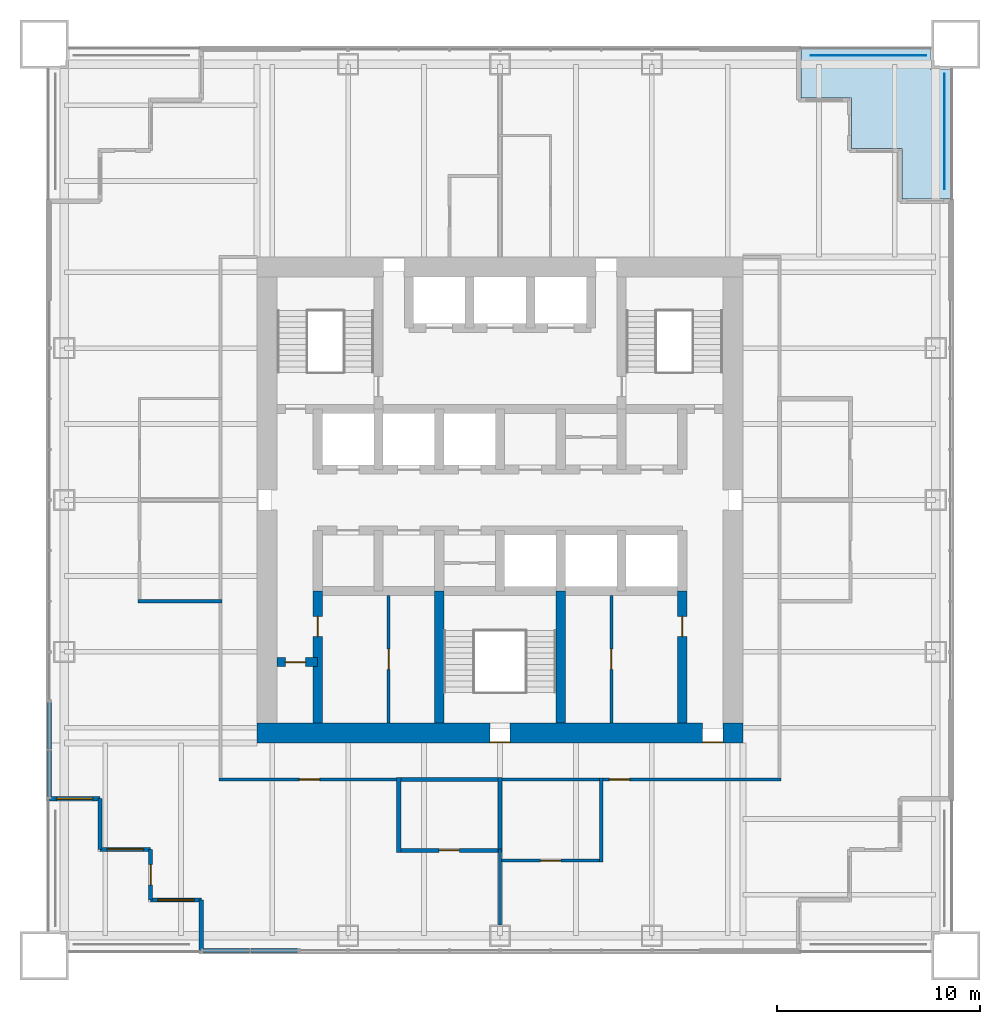
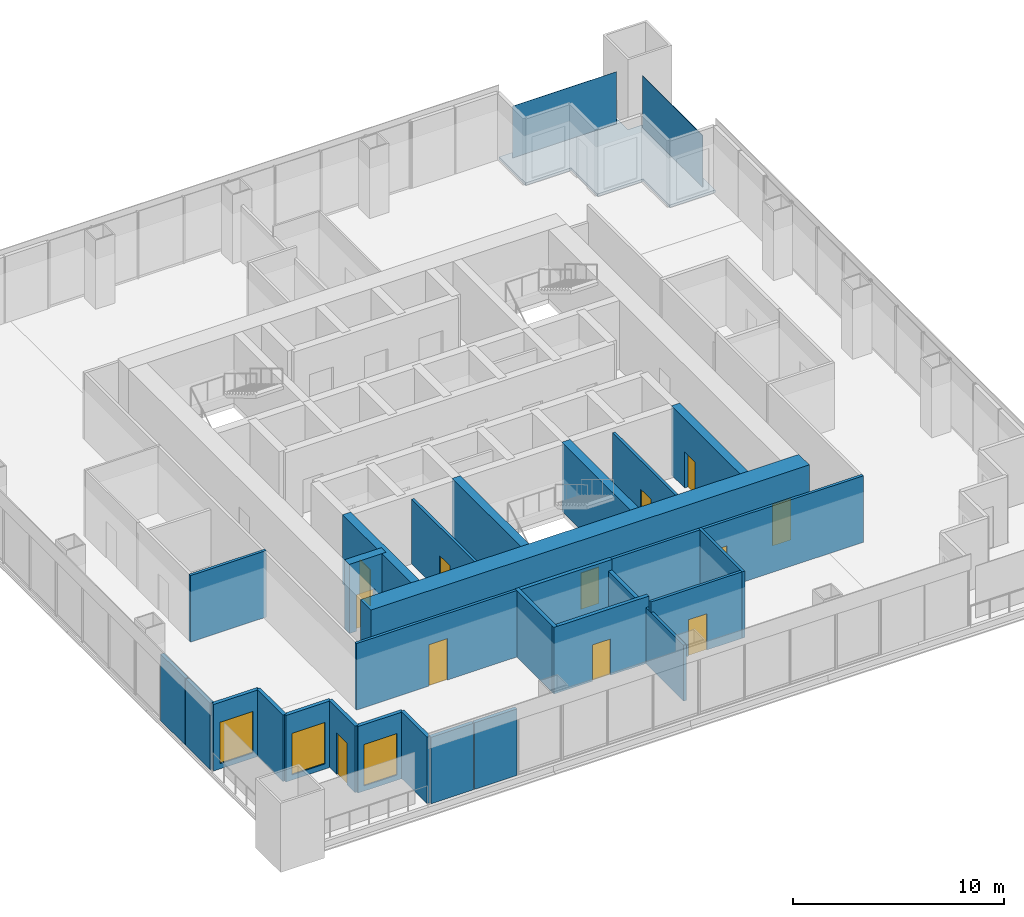
# One storey, part 8 of 13: 28 walls, 12 doors, 3 windows, 2 plates, 1 slab, 15 openings.
"""IFC4 building model written with IfcOpenShell, lengths in metres."""

from ifc_helpers import new_model, si_unit, direction, frame, frame_2d, origin, origin_2d, place, context, subcontext, project, spatial, polyline, rectangle, outline, extrude, material, layer, layer_set, type_object, element, fill, save


model = new_model("IFC4")

# Units and contexts
model_context = context("Model", 3, precision=1e-05, world=origin(), true_north=direction((0.0, 1.0)))
body_context = subcontext(model_context, "Body", "Model", "MODEL_VIEW")
ifc_project = project(units=[si_unit("LENGTHUNIT", "METRE"), si_unit("AREAUNIT", "SQUARE_METRE"), si_unit("VOLUMEUNIT", "CUBIC_METRE"), si_unit("PLANEANGLEUNIT", "RADIAN"), si_unit("MASSUNIT", "GRAM", prefix="KILO")], contexts=[model_context])

# Site, building, storey
site_placement = place(None, origin())
site = spatial("IfcSite", under=ifc_project, at=site_placement, CompositionType="ELEMENT")
building_placement = place(site_placement, origin())
building = spatial("IfcBuilding", under=site, at=building_placement, Name="Tarangal Relay Tower", CompositionType="ELEMENT")
storey_placement = place(building_placement, frame((0.0, 0.0, 221.89990234375)))
storey = spatial("IfcBuildingStorey", under=building, at=storey_placement, Name="L47", CompositionType="ELEMENT", Elevation=221.89990234375)

# Plates
ifc_material_1 = material(Name="Black stainless steel cable trellis with climbing planting", Category="steel")
ifc_layer_1 = layer(ifc_material_1, 0.030029296875)
ifc_layer_set_1 = layer_set([ifc_layer_1], Name="Planted trellis screen")
plate_type_1 = type_object("IfcPlateType", Name="Planted trellis screen", PredefinedType="SHEET", material=ifc_layer_set_1)
plate_1_placement = place(storey_placement, frame((21.949951171875, 18.199951171875, 0.0), z_axis=(0.0, 0.0, 1.0), x_axis=(0.0, -1.0, 0.0)))
element("IfcPlate", 1, at=plate_1_placement, inside=storey, type_object=plate_type_1, Name="Planted trellis SC2 NE L47", PredefinedType="SHEET", context=body_context, shape_type="SweptSolid", body=[
    extrude(rectangle(XDim=5.699951171875, YDim=0.030029296875, at=origin_2d()), origin(), (0.0, 0.0, 1.0), 3.0),
])
ifc_material_2 = material(Name="Perforated black aluminium screen", Category="aluminium")
ifc_layer_2 = layer(ifc_material_2, 0.02001953125)
ifc_layer_set_2 = layer_set([ifc_layer_2], Name="Terrace screen panel")
plate_type_2 = type_object("IfcPlateType", Name="Terrace screen panel", PredefinedType="SHEET", material=ifc_layer_set_2)
plate_2_placement = place(storey_placement, frame((18.199951171875, 21.949951171875, 0.0), z_axis=(0.0, 0.0, 1.0), x_axis=(1.0, 0.0, 0.0)))
element("IfcPlate", 2, at=plate_2_placement, inside=storey, type_object=plate_type_2, Name="Terrace screen SC1 NE L47", PredefinedType="SHEET", context=body_context, shape_type="SweptSolid", body=[
    extrude(rectangle(XDim=5.699951171875, YDim=0.02001953125, at=origin_2d()), origin(), (0.0, 0.0, 1.0), 3.0),
])

# Slab
ifc_material_3 = material(Name="Concrete fc' 35 MPa", Category="concrete")
ifc_layer_3 = layer(ifc_material_3, 0.14990234375)
ifc_layer_set_3 = layer_set([ifc_layer_3], Name="Terrace slab 150")
slab_type = type_object("IfcSlabType", Name="Terrace slab 150", PredefinedType="FLOOR", material=ifc_layer_set_3)
slab_placement = place(storey_placement, frame((0.0, 0.0, -0.14990234375)))
element("IfcSlab", 3, at=slab_placement, inside=storey, type_object=slab_type, Name="Corner terrace NE L47", PredefinedType="FLOOR", context=body_context, shape_type="SweptSolid", body=[
    extrude(outline(polyline([(14.85009765625, 22.35009765625), (14.85009765625, 19.85009765625), (17.35009765625, 19.85009765625), (17.35009765625, 17.35009765625), (19.85009765625, 17.35009765625), (19.85009765625, 14.85009765625), (22.35009765625, 14.85009765625), (22.35009765625, 21.25), (21.25, 21.25), (21.25, 22.35009765625), (14.85009765625, 22.35009765625)])), origin(), (0.0, 0.0, 1.0), 0.14990234375),
])

# Wall, opening, door
ifc_material_4 = material(Name="Two layers gypsum board each side on twin steel studs, mineral wool", Category="steel")
ifc_layer_4 = layer(ifc_material_4, 0.199951171875)
ifc_layer_set_4 = layer_set([ifc_layer_4], Name="Acoustic partition 200")
wall_type_1 = type_object("IfcWallType", Name="Acoustic partition 200", PredefinedType="PARTITIONING", material=ifc_layer_set_4)
wall_1_placement = place(storey_placement, frame((-5.10009765625, -17.300048828125, 0.0), z_axis=(0.0, 0.0, 1.0), x_axis=(1.0, 0.0, 0.0)))
wall_1 = element("IfcWall", 4, at=wall_1_placement, inside=storey, type_object=wall_type_1, Name="Partition PT2 L47", PredefinedType="PARTITIONING", context=body_context, shape_type="SweptSolid", body=[
    extrude(rectangle(XDim=5.2001953125, YDim=0.199951171875, at=frame_2d((2.60009765625, 0.0))), origin(), (0.0, 0.0, 1.0), 3.85009765625),
])
opening_1_placement = place(wall_1_placement, frame((2.10009765625, 0.0, 0.0)))
opening_1 = element("IfcOpeningElement", 5, at=opening_1_placement, cuts=wall_1, Name="Opening D2", PredefinedType="OPENING", context=body_context, shape_type="SweptSolid", body=[
    extrude(rectangle(XDim=1.0, YDim=2.10009765625, at=frame_2d((0.5, 1.050048828125))), frame((0.0, 0.10986328125, 0.0), z_axis=(0.0, -1.0, 0.0), x_axis=(1.0, 0.0, 0.0)), (0.0, 0.0, 1.0), 0.219970703125),
])
ifc_material_5 = material(Name="Hardwood door", Category="wood")
door_type_1 = type_object("IfcDoorType", Name="Door 1000 x 2100", OperationType="SINGLE_SWING_LEFT", PredefinedType="DOOR", material=ifc_material_5)
door_1_placement = place(opening_1_placement, origin())
door_1 = element("IfcDoor", 6, at=door_1_placement, inside=storey, type_object=door_type_1, Name="Door D2 to quiet room L47-07", OperationType="SINGLE_SWING_LEFT", OverallHeight=2.10009765625, OverallWidth=1.0, PredefinedType="DOOR", context=body_context, shape_type="SweptSolid", body=[
    extrude(rectangle(XDim=1.0, YDim=2.10009765625, at=frame_2d((0.5, 1.050048828125))), frame((0.0, 0.02490234375, 0.0), z_axis=(0.0, -1.0, 0.0), x_axis=(1.0, 0.0, 0.0)), (0.0, 0.0, 1.0), 0.050048828125),
])
fill(opening_1, door_1)

# Walls
wall_2_placement = place(storey_placement, frame((-5.10009765625, -13.800048828125, 0.0), z_axis=(0.0, 0.0, 1.0), x_axis=(1.0, 0.0, 0.0)))
element("IfcWall", 7, at=wall_2_placement, inside=storey, type_object=wall_type_1, Name="Partition PT2 L47", PredefinedType="PARTITIONING", context=body_context, shape_type="SweptSolid", body=[
    extrude(rectangle(XDim=5.2001953125, YDim=0.199951171875, at=frame_2d((2.60009765625, 0.0))), origin(), (0.0, 0.0, 1.0), 3.85009765625),
])
wall_3_placement = place(storey_placement, frame((-5.0, -17.39990234375, 0.0), z_axis=(0.0, 0.0, 1.0), x_axis=(0.0, 1.0, 0.0)))
element("IfcWall", 8, at=wall_3_placement, inside=storey, type_object=wall_type_1, Name="Partition PT2 L47", PredefinedType="PARTITIONING", context=body_context, shape_type="SweptSolid", body=[
    extrude(rectangle(XDim=3.699951171875, YDim=0.199951171875, at=frame_2d((1.85009765625, 0.0))), origin(), (0.0, 0.0, 1.0), 3.85009765625),
])
wall_4_placement = place(storey_placement, frame((0.0, -17.39990234375, 0.0), z_axis=(0.0, 0.0, 1.0), x_axis=(0.0, 1.0, 0.0)))
element("IfcWall", 9, at=wall_4_placement, inside=storey, type_object=wall_type_1, Name="Partition PT2 L47", PredefinedType="PARTITIONING", context=body_context, shape_type="SweptSolid", body=[
    extrude(rectangle(XDim=3.699951171875, YDim=0.199951171875, at=frame_2d((1.85009765625, 0.0))), origin(), (0.0, 0.0, 1.0), 3.238037109375),
])

# Wall, opening, door
ifc_material_6 = material(Name="Concrete fc' 60 MPa", Category="concrete")
ifc_layer_5 = layer(ifc_material_6, 0.449951171875)
ifc_layer_set_5 = layer_set([ifc_layer_5], Name="Core inner wall 450")
wall_type_2 = type_object("IfcWallType", Name="Core inner wall 450", PredefinedType="SHEAR", material=ifc_layer_set_5)
wall_5_placement = place(storey_placement, frame((-11.0, -8.0, 0.0), z_axis=(0.0, 0.0, 1.0), x_axis=(1.0, 0.0, 0.0)))
wall_5 = element("IfcWall", 10, at=wall_5_placement, inside=storey, type_object=wall_type_2, Name="Core wall YM8 L47", PredefinedType="SHEAR", context=body_context, shape_type="SweptSolid", body=[
    extrude(rectangle(XDim=2.0, YDim=0.449951171875, at=frame_2d((1.0, 0.0))), origin(), (0.0, 0.0, 1.0), 4.0),
])
opening_2_placement = place(wall_5_placement, frame((0.39990234375, 0.0, 0.0)))
opening_2 = element("IfcOpeningElement", 11, at=opening_2_placement, cuts=wall_5, Name="Opening D1", PredefinedType="OPENING", context=body_context, shape_type="SweptSolid", body=[
    extrude(rectangle(XDim=1.0, YDim=2.10009765625, at=frame_2d((0.5, 1.050048828125))), frame((0.0, 0.23486328125, 0.0), z_axis=(0.0, -1.0, 0.0), x_axis=(1.0, 0.0, 0.0)), (0.0, 0.0, 1.0), 0.469970703125),
])
door_type_2 = type_object("IfcDoorType", Name="WC door 1000 x 2100", OperationType="SINGLE_SWING_LEFT", PredefinedType="DOOR", material=ifc_material_5)
door_2_placement = place(opening_2_placement, origin())
door_2 = element("IfcDoor", 12, at=door_2_placement, inside=storey, type_object=door_type_2, Name="Accessible WC door L47", OperationType="SINGLE_SWING_LEFT", OverallHeight=2.10009765625, OverallWidth=1.0, PredefinedType="DOOR", context=body_context, shape_type="SweptSolid", body=[
    extrude(rectangle(XDim=1.0, YDim=2.10009765625, at=frame_2d((0.5, 1.050048828125))), frame((0.0, 0.02490234375, 0.0), z_axis=(0.0, -1.0, 0.0), x_axis=(1.0, 0.0, 0.0)), (0.0, 0.0, 1.0), 0.050048828125),
])
fill(opening_2, door_2)

wall_6_placement = place(storey_placement, frame((-9.0, -11.0, 0.0), z_axis=(0.0, 0.0, 1.0), x_axis=(0.0, 1.0, 0.0)))
wall_6 = element("IfcWall", 13, at=wall_6_placement, inside=storey, type_object=wall_type_2, Name="Core wall XM9W L47", PredefinedType="SHEAR", context=body_context, shape_type="SweptSolid", body=[
    extrude(rectangle(XDim=6.5, YDim=0.449951171875, at=frame_2d((3.25, 0.0))), origin(), (0.0, 0.0, 1.0), 4.0),
])
opening_3_placement = place(wall_6_placement, frame((4.25, 0.0, 0.0)))
opening_3 = element("IfcOpeningElement", 14, at=opening_3_placement, cuts=wall_6, Name="Opening D1", PredefinedType="OPENING", context=body_context, shape_type="SweptSolid", body=[
    extrude(rectangle(XDim=1.0, YDim=2.10009765625, at=frame_2d((0.5, 1.050048828125))), frame((0.0, 0.23486328125, 0.0), z_axis=(0.0, -1.0, 0.0), x_axis=(1.0, 0.0, 0.0)), (0.0, 0.0, 1.0), 0.469970703125),
])
door_3_placement = place(opening_3_placement, origin())
door_3 = element("IfcDoor", 15, at=door_3_placement, inside=storey, type_object=door_type_2, Name="Male WC door L47", OperationType="SINGLE_SWING_LEFT", OverallHeight=2.10009765625, OverallWidth=1.0, PredefinedType="DOOR", context=body_context, shape_type="SweptSolid", body=[
    extrude(rectangle(XDim=1.0, YDim=2.10009765625, at=frame_2d((0.5, 1.050048828125))), frame((0.0, 0.02490234375, 0.0), z_axis=(0.0, -1.0, 0.0), x_axis=(1.0, 0.0, 0.0)), (0.0, 0.0, 1.0), 0.050048828125),
])
fill(opening_3, door_3)

wall_7_placement = place(storey_placement, frame((9.0, -11.0, 0.0), z_axis=(0.0, 0.0, 1.0), x_axis=(0.0, 1.0, 0.0)))
wall_7 = element("IfcWall", 16, at=wall_7_placement, inside=storey, type_object=wall_type_2, Name="Core wall X9W L47", PredefinedType="SHEAR", context=body_context, shape_type="SweptSolid", body=[
    extrude(rectangle(XDim=6.5, YDim=0.449951171875, at=frame_2d((3.25, 0.0))), origin(), (0.0, 0.0, 1.0), 4.0),
])
opening_4_placement = place(wall_7_placement, frame((4.25, 0.0, 0.0)))
opening_4 = element("IfcOpeningElement", 17, at=opening_4_placement, cuts=wall_7, Name="Opening D1", PredefinedType="OPENING", context=body_context, shape_type="SweptSolid", body=[
    extrude(rectangle(XDim=1.0, YDim=2.10009765625, at=frame_2d((0.5, 1.050048828125))), frame((0.0, 0.23486328125, 0.0), z_axis=(0.0, -1.0, 0.0), x_axis=(1.0, 0.0, 0.0)), (0.0, 0.0, 1.0), 0.469970703125),
])
door_4_placement = place(opening_4_placement, origin())
door_4 = element("IfcDoor", 18, at=door_4_placement, inside=storey, type_object=door_type_2, Name="Female WC door L47", OperationType="SINGLE_SWING_LEFT", OverallHeight=2.10009765625, OverallWidth=1.0, PredefinedType="DOOR", context=body_context, shape_type="SweptSolid", body=[
    extrude(rectangle(XDim=1.0, YDim=2.10009765625, at=frame_2d((0.5, 1.050048828125))), frame((0.0, 0.02490234375, 0.0), z_axis=(0.0, -1.0, 0.0), x_axis=(1.0, 0.0, 0.0)), (0.0, 0.0, 1.0), 0.050048828125),
])
fill(opening_4, door_4)

# Walls
for number, where, z_axis, x_axis, name in (
    (19, (-3.0, -11.0, 0.0), (0.0, 0.0, 1.0), (0.0, 1.0, 0.0), "Core wall XM3W L47"),
    (20, (3.0, -11.0, 0.0), (0.0, 0.0, 1.0), (0.0, 1.0, 0.0), "Core wall X3W L47"),
):
    element("IfcWall", number, at=place(storey_placement, frame(where, z_axis=z_axis, x_axis=x_axis)), inside=storey, type_object=wall_type_2, Name=name, PredefinedType="SHEAR", context=body_context, shape_type="SweptSolid", body=[
        extrude(rectangle(XDim=6.5, YDim=0.449951171875, at=frame_2d((3.25, 0.0))), origin(), (0.0, 0.0, 1.0), 4.0),
    ])

# Wall, openings, doors
ifc_layer_6 = layer(ifc_material_6, 1.0)
ifc_layer_set_6 = layer_set([ifc_layer_6], Name="Core wall 1000")
wall_type_3 = type_object("IfcWallType", Name="Core wall 1000", PredefinedType="SHEAR", material=ifc_layer_set_6)
wall_8_placement = place(storey_placement, frame((12.0, -11.5, 0.0), z_axis=(0.0, 0.0, 1.0), x_axis=(-1.0, 0.0, 0.0)))
wall_8 = element("IfcWall", 21, at=wall_8_placement, inside=storey, type_object=wall_type_3, Name="Core wall S L47", PredefinedType="SHEAR", context=body_context, shape_type="SweptSolid", body=[
    extrude(rectangle(XDim=24.0, YDim=1.0, at=frame_2d((12.0, 0.0))), origin(), (0.0, 0.0, 1.0), 4.0),
])
opening_5_placement = place(wall_8_placement, frame((11.5, 0.0, 0.0)))
opening_5 = element("IfcOpeningElement", 22, at=opening_5_placement, cuts=wall_8, Name="Opening FD1", PredefinedType="OPENING", context=body_context, shape_type="SweptSolid", body=[
    extrude(rectangle(XDim=1.0, YDim=2.10009765625, at=frame_2d((0.5, 1.050048828125))), frame((0.0, 0.510009765625, 0.0), z_axis=(0.0, -1.0, 0.0), x_axis=(1.0, 0.0, 0.0)), (0.0, 0.0, 1.0), 1.02001953125),
])
opening_6_placement = place(wall_8_placement, frame((1.0, 0.0, 0.0)))
opening_6 = element("IfcOpeningElement", 23, at=opening_6_placement, cuts=wall_8, Name="Opening FD3", PredefinedType="OPENING", context=body_context, shape_type="SweptSolid", body=[
    extrude(rectangle(XDim=1.0, YDim=2.39990234375, at=frame_2d((0.5, 1.199951171875))), frame((0.0, 0.510009765625, 0.0), z_axis=(0.0, -1.0, 0.0), x_axis=(1.0, 0.0, 0.0)), (0.0, 0.0, 1.0), 1.02001953125),
])
ifc_material_7 = material(Name="Steel door with hardwood frame", Category="steel")
door_type_3 = type_object("IfcDoorType", Name="Fire door 1000 x 2100", OperationType="SINGLE_SWING_LEFT", PredefinedType="DOOR", material=ifc_material_7)
door_5_placement = place(opening_5_placement, origin())
door_5 = element("IfcDoor", 24, at=door_5_placement, inside=storey, type_object=door_type_3, Name="Stair ST-C door L47", OperationType="SINGLE_SWING_LEFT", OverallHeight=2.10009765625, OverallWidth=1.0, PredefinedType="DOOR", context=body_context, shape_type="SweptSolid", body=[
    extrude(rectangle(XDim=1.0, YDim=2.10009765625, at=frame_2d((0.5, 1.050048828125))), frame((0.0, 0.48486328125, 0.0), z_axis=(0.0, -1.0, 0.0), x_axis=(1.0, 0.0, 0.0)), (0.0, 0.0, 1.0), 0.050048828125),
])
fill(opening_5, door_5)
door_type_4 = type_object("IfcDoorType", Name="Fire door 1000 x 2400 core entry", OperationType="SINGLE_SWING_RIGHT", PredefinedType="DOOR", material=ifc_material_7)
door_6_placement = place(opening_6_placement, origin())
door_6 = element("IfcDoor", 25, at=door_6_placement, inside=storey, type_object=door_type_4, Name="Core entry door south east L47", OperationType="SINGLE_SWING_RIGHT", OverallHeight=2.39990234375, OverallWidth=1.0, PredefinedType="DOOR", context=body_context, shape_type="SweptSolid", body=[
    extrude(rectangle(XDim=1.0, YDim=2.39990234375, at=frame_2d((0.5, 1.199951171875))), frame((0.0, 0.48486328125, 0.0), z_axis=(0.0, -1.0, 0.0), x_axis=(1.0, 0.0, 0.0)), (0.0, 0.0, 1.0), 0.050048828125),
])
fill(opening_6, door_6)

# Wall
ifc_material_8 = material(Name="Black metal clad insulated wall", Category="steel")
ifc_layer_7 = layer(ifc_material_8, 0.199951171875)
ifc_layer_set_7 = layer_set([ifc_layer_7], Name="Corner wall metal clad 200")
wall_type_4 = type_object("IfcWallType", Name="Corner wall metal clad 200", PredefinedType="SOLIDWALL", material=ifc_layer_set_7)
wall_9_placement = place(storey_placement, frame((-14.75, -22.25, 0.0), z_axis=(0.0, 0.0, 1.0), x_axis=(0.0, 1.0, 0.0)))
element("IfcWall", 26, at=wall_9_placement, inside=storey, type_object=wall_type_4, Name="Facade wall S facade L47", PredefinedType="SOLIDWALL", context=body_context, shape_type="SweptSolid", body=[
    extrude(rectangle(XDim=2.5, YDim=0.199951171875, at=frame_2d((1.25, 0.0))), origin(), (0.0, 0.0, 1.0), 3.85009765625),
])

# Wall, opening, window
wall_10_placement = place(storey_placement, frame((-14.75, -19.75, 0.0), z_axis=(0.0, 0.0, 1.0), x_axis=(-1.0, 0.0, 0.0)))
wall_10 = element("IfcWall", 27, at=wall_10_placement, inside=storey, type_object=wall_type_4, Name="Facade wall S facade L47", PredefinedType="SOLIDWALL", context=body_context, shape_type="SweptSolid", body=[
    extrude(rectangle(XDim=2.5, YDim=0.199951171875, at=frame_2d((1.25, 0.0))), origin(), (0.0, 0.0, 1.0), 3.85009765625),
])
opening_7_placement = place(wall_10_placement, frame((0.35009765625, 0.0, 0.300048828125)))
opening_7 = element("IfcOpeningElement", 28, at=opening_7_placement, cuts=wall_10, Name="Opening WN2", PredefinedType="OPENING", context=body_context, shape_type="SweptSolid", body=[
    extrude(rectangle(XDim=1.800048828125, YDim=2.39990234375, at=frame_2d((0.89990234375, 1.199951171875))), frame((0.0, 0.10986328125, 0.0), z_axis=(0.0, -1.0, 0.0), x_axis=(1.0, 0.0, 0.0)), (0.0, 0.0, 1.0), 0.219970703125),
])
ifc_material_9 = material(Name="Dark tinted double glazing in black aluminium frame", Category="aluminium")
window_type = type_object("IfcWindowType", Name="Corner window 1800 x 2400", PartitioningType="SINGLE_PANEL", PredefinedType="WINDOW", material=ifc_material_9)
window_1_placement = place(opening_7_placement, origin())
window_1 = element("IfcWindow", 29, at=window_1_placement, inside=storey, type_object=window_type, Name="Corner window WN2 S facade L47", OverallHeight=2.39990234375, OverallWidth=1.800048828125, PartitioningType="SINGLE_PANEL", PredefinedType="WINDOW", context=body_context, shape_type="SweptSolid", body=[
    extrude(rectangle(XDim=1.800048828125, YDim=2.39990234375, at=frame_2d((0.89990234375, 1.199951171875))), frame((0.0, 0.030029296875, 0.0), z_axis=(0.0, -1.0, 0.0), x_axis=(1.0, 0.0, 0.0)), (0.0, 0.0, 1.0), 0.06005859375),
])
fill(opening_7, window_1)

# Wall, opening, door
wall_11_placement = place(storey_placement, frame((-17.25, -19.75, 0.0), z_axis=(0.0, 0.0, 1.0), x_axis=(0.0, 1.0, 0.0)))
wall_11 = element("IfcWall", 30, at=wall_11_placement, inside=storey, type_object=wall_type_4, Name="Facade wall S facade L47", PredefinedType="SOLIDWALL", context=body_context, shape_type="SweptSolid", body=[
    extrude(rectangle(XDim=2.5, YDim=0.199951171875, at=frame_2d((1.25, 0.0))), origin(), (0.0, 0.0, 1.0), 3.85009765625),
])
opening_8_placement = place(wall_11_placement, frame((0.75, 0.0, 0.0)))
opening_8 = element("IfcOpeningElement", 31, at=opening_8_placement, cuts=wall_11, Name="Opening TD1", PredefinedType="OPENING", context=body_context, shape_type="SweptSolid", body=[
    extrude(rectangle(XDim=1.0, YDim=2.39990234375, at=frame_2d((0.5, 1.199951171875))), frame((0.0, 0.10986328125, 0.0), z_axis=(0.0, -1.0, 0.0), x_axis=(1.0, 0.0, 0.0)), (0.0, 0.0, 1.0), 0.219970703125),
])
ifc_material_10 = material(Name="Aluminium glazed door", Category="aluminium")
door_type_5 = type_object("IfcDoorType", Name="Terrace door 1000 x 2400", OperationType="SINGLE_SWING_RIGHT", PredefinedType="DOOR", material=ifc_material_10)
door_7_placement = place(opening_8_placement, origin())
door_7 = element("IfcDoor", 32, at=door_7_placement, inside=storey, type_object=door_type_5, Name="Terrace door TD1 SW L47", OperationType="SINGLE_SWING_RIGHT", OverallHeight=2.39990234375, OverallWidth=1.0, PredefinedType="DOOR", context=body_context, shape_type="SweptSolid", body=[
    extrude(rectangle(XDim=1.0, YDim=2.39990234375, at=frame_2d((0.5, 1.199951171875))), frame((0.0, 0.02490234375, 0.0), z_axis=(0.0, -1.0, 0.0), x_axis=(1.0, 0.0, 0.0)), (0.0, 0.0, 1.0), 0.050048828125),
])
fill(opening_8, door_7)

# Wall, opening, window
wall_12_placement = place(storey_placement, frame((-17.25, -17.25, 0.0), z_axis=(0.0, 0.0, 1.0), x_axis=(-1.0, 0.0, 0.0)))
wall_12 = element("IfcWall", 33, at=wall_12_placement, inside=storey, type_object=wall_type_4, Name="Facade wall S facade L47", PredefinedType="SOLIDWALL", context=body_context, shape_type="SweptSolid", body=[
    extrude(rectangle(XDim=2.5, YDim=0.199951171875, at=frame_2d((1.25, 0.0))), origin(), (0.0, 0.0, 1.0), 3.85009765625),
])
opening_9_placement = place(wall_12_placement, frame((0.35009765625, 0.0, 0.300048828125)))
opening_9 = element("IfcOpeningElement", 34, at=opening_9_placement, cuts=wall_12, Name="Opening WN2", PredefinedType="OPENING", context=body_context, shape_type="SweptSolid", body=[
    extrude(rectangle(XDim=1.800048828125, YDim=2.39990234375, at=frame_2d((0.89990234375, 1.199951171875))), frame((0.0, 0.10986328125, 0.0), z_axis=(0.0, -1.0, 0.0), x_axis=(1.0, 0.0, 0.0)), (0.0, 0.0, 1.0), 0.219970703125),
])
window_2_placement = place(opening_9_placement, origin())
window_2 = element("IfcWindow", 35, at=window_2_placement, inside=storey, type_object=window_type, Name="Corner window WN2 S facade L47", OverallHeight=2.39990234375, OverallWidth=1.800048828125, PartitioningType="SINGLE_PANEL", PredefinedType="WINDOW", context=body_context, shape_type="SweptSolid", body=[
    extrude(rectangle(XDim=1.800048828125, YDim=2.39990234375, at=frame_2d((0.89990234375, 1.199951171875))), frame((0.0, 0.030029296875, 0.0), z_axis=(0.0, -1.0, 0.0), x_axis=(1.0, 0.0, 0.0)), (0.0, 0.0, 1.0), 0.06005859375),
])
fill(opening_9, window_2)

# Wall
wall_13_placement = place(storey_placement, frame((-19.75, -17.25, 0.0), z_axis=(0.0, 0.0, 1.0), x_axis=(0.0, 1.0, 0.0)))
element("IfcWall", 36, at=wall_13_placement, inside=storey, type_object=wall_type_4, Name="Facade wall S facade L47", PredefinedType="SOLIDWALL", context=body_context, shape_type="SweptSolid", body=[
    extrude(rectangle(XDim=2.5, YDim=0.199951171875, at=frame_2d((1.25, 0.0))), origin(), (0.0, 0.0, 1.0), 3.85009765625),
])

# Wall, opening, window
wall_14_placement = place(storey_placement, frame((-19.75, -14.75, 0.0), z_axis=(0.0, 0.0, 1.0), x_axis=(-1.0, 0.0, 0.0)))
wall_14 = element("IfcWall", 37, at=wall_14_placement, inside=storey, type_object=wall_type_4, Name="Facade wall S facade L47", PredefinedType="SOLIDWALL", context=body_context, shape_type="SweptSolid", body=[
    extrude(rectangle(XDim=2.5, YDim=0.199951171875, at=frame_2d((1.25, 0.0))), origin(), (0.0, 0.0, 1.0), 3.85009765625),
])
opening_10_placement = place(wall_14_placement, frame((0.35009765625, 0.0, 0.300048828125)))
opening_10 = element("IfcOpeningElement", 38, at=opening_10_placement, cuts=wall_14, Name="Opening WN2", PredefinedType="OPENING", context=body_context, shape_type="SweptSolid", body=[
    extrude(rectangle(XDim=1.800048828125, YDim=2.39990234375, at=frame_2d((0.89990234375, 1.199951171875))), frame((0.0, 0.10986328125, 0.0), z_axis=(0.0, -1.0, 0.0), x_axis=(1.0, 0.0, 0.0)), (0.0, 0.0, 1.0), 0.219970703125),
])
window_3_placement = place(opening_10_placement, origin())
window_3 = element("IfcWindow", 39, at=window_3_placement, inside=storey, type_object=window_type, Name="Corner window WN2 S facade L47", OverallHeight=2.39990234375, OverallWidth=1.800048828125, PartitioningType="SINGLE_PANEL", PredefinedType="WINDOW", context=body_context, shape_type="SweptSolid", body=[
    extrude(rectangle(XDim=1.800048828125, YDim=2.39990234375, at=frame_2d((0.89990234375, 1.199951171875))), frame((0.0, 0.030029296875, 0.0), z_axis=(0.0, -1.0, 0.0), x_axis=(1.0, 0.0, 0.0)), (0.0, 0.0, 1.0), 0.06005859375),
])
fill(opening_10, window_3)

# Walls
ifc_layer_8 = layer(ifc_material_8, 0.199951171875)
ifc_layer_set_8 = layer_set([ifc_layer_8], Name="Facade infill wall metal clad 200")
wall_type_5 = type_object("IfcWallType", Name="Facade infill wall metal clad 200", PredefinedType="SOLIDWALL", material=ifc_layer_set_8)
for number, where, z_axis, x_axis, name in (
    (40, (-9.981689453125, -22.25, 0.0), (0.0, 0.0, 1.0), (-1.0, 0.0, 0.0), "Facade infill wall S facade L47 1.1"),
    (41, (-12.365966796875, -22.25, 0.0), (0.0, 0.0, 1.0), (-1.0, 0.0, 0.0), "Facade infill wall S facade L47 2.1"),
    (42, (-22.25, -14.68505859375, 0.0), (0.0, 0.0, 1.0), (0.0, 1.0, 0.0), "Facade infill wall W facade L47 1.1"),
    (43, (-22.25, -12.30078125, 0.0), (0.0, 0.0, 1.0), (0.0, 1.0, 0.0), "Facade infill wall W facade L47 2.1"),
):
    element("IfcWall", number, at=place(storey_placement, frame(where, z_axis=z_axis, x_axis=x_axis)), inside=storey, type_object=wall_type_5, Name=name, PredefinedType="SOLIDWALL", context=body_context, shape_type="SweptSolid", body=[
        extrude(rectangle(XDim=2.319091796875, YDim=0.199951171875, at=frame_2d((1.15966796875, 0.0))), origin(), (0.0, 0.0, 1.0), 3.85009765625),
    ])

# Wall, opening, door
ifc_material_11 = material(Name="Gypsum board on steel studs", Category="steel")
ifc_layer_9 = layer(ifc_material_11, 0.14990234375)
ifc_layer_set_9 = layer_set([ifc_layer_9], Name="Partition 150")
wall_type_6 = type_object("IfcWallType", Name="Partition 150", PredefinedType="PARTITIONING", material=ifc_layer_set_9)
wall_15_placement = place(storey_placement, frame((-0.074951171875, -17.800048828125, 0.0), z_axis=(0.0, 0.0, 1.0), x_axis=(1.0, 0.0, 0.0)))
wall_15 = element("IfcWall", 44, at=wall_15_placement, inside=storey, type_object=wall_type_6, Name="Partition PT1 L47", PredefinedType="PARTITIONING", context=body_context, shape_type="SweptSolid", body=[
    extrude(rectangle(XDim=5.14990234375, YDim=0.14990234375, at=frame_2d((2.574951171875, 0.0))), origin(), (0.0, 0.0, 1.0), 3.85009765625),
])
opening_11_placement = place(wall_15_placement, frame((2.074951171875, 0.0, 0.0)))
opening_11 = element("IfcOpeningElement", 45, at=opening_11_placement, cuts=wall_15, Name="Opening D2", PredefinedType="OPENING", context=body_context, shape_type="SweptSolid", body=[
    extrude(rectangle(XDim=1.0, YDim=2.10009765625, at=frame_2d((0.5, 1.050048828125))), frame((0.0, 0.0849609375, 0.0), z_axis=(0.0, -1.0, 0.0), x_axis=(1.0, 0.0, 0.0)), (0.0, 0.0, 1.0), 0.169921875),
])
door_8_placement = place(opening_11_placement, origin())
door_8 = element("IfcDoor", 46, at=door_8_placement, inside=storey, type_object=door_type_1, Name="Door D2 to tea pantry L47-06", OperationType="SINGLE_SWING_LEFT", OverallHeight=2.10009765625, OverallWidth=1.0, PredefinedType="DOOR", context=body_context, shape_type="SweptSolid", body=[
    extrude(rectangle(XDim=1.0, YDim=2.10009765625, at=frame_2d((0.5, 1.050048828125))), frame((0.0, 0.02490234375, 0.0), z_axis=(0.0, -1.0, 0.0), x_axis=(1.0, 0.0, 0.0)), (0.0, 0.0, 1.0), 0.050048828125),
])
fill(opening_11, door_8)

wall_16_placement = place(storey_placement, frame((-13.875, -13.800048828125, 0.0), z_axis=(0.0, 0.0, 1.0), x_axis=(1.0, 0.0, 0.0)))
wall_16 = element("IfcWall", 47, at=wall_16_placement, inside=storey, type_object=wall_type_6, Name="Partition PT1 L47", PredefinedType="PARTITIONING", context=body_context, shape_type="SweptSolid", body=[
    extrude(rectangle(XDim=8.949951171875, YDim=0.14990234375, at=frame_2d((4.47509765625, 0.0))), origin(), (0.0, 0.0, 1.0), 3.85009765625),
])
opening_12_placement = place(wall_16_placement, frame((3.97509765625, 0.0, 0.0)))
opening_12 = element("IfcOpeningElement", 48, at=opening_12_placement, cuts=wall_16, Name="Opening SD1", PredefinedType="OPENING", context=body_context, shape_type="SweptSolid", body=[
    extrude(rectangle(XDim=1.0, YDim=2.39990234375, at=frame_2d((0.5, 1.199951171875))), frame((0.0, 0.0849609375, 0.0), z_axis=(0.0, -1.0, 0.0), x_axis=(1.0, 0.0, 0.0)), (0.0, 0.0, 1.0), 0.169921875),
])
door_type_6 = type_object("IfcDoorType", Name="Suite entrance door 1000 x 2400", OperationType="SINGLE_SWING_RIGHT", PredefinedType="DOOR", material=ifc_material_7)
door_9_placement = place(opening_12_placement, origin())
door_9 = element("IfcDoor", 49, at=door_9_placement, inside=storey, type_object=door_type_6, Name="Door SD1 to open plan office L47-10", OperationType="SINGLE_SWING_RIGHT", OverallHeight=2.39990234375, OverallWidth=1.0, PredefinedType="DOOR", context=body_context, shape_type="SweptSolid", body=[
    extrude(rectangle(XDim=1.0, YDim=2.39990234375, at=frame_2d((0.5, 1.199951171875))), frame((0.0, 0.02490234375, 0.0), z_axis=(0.0, -1.0, 0.0), x_axis=(1.0, 0.0, 0.0)), (0.0, 0.0, 1.0), 0.050048828125),
])
fill(opening_12, door_9)

wall_17_placement = place(storey_placement, frame((-0.074951171875, -13.800048828125, 0.0), z_axis=(0.0, 0.0, 1.0), x_axis=(1.0, 0.0, 0.0)))
wall_17 = element("IfcWall", 50, at=wall_17_placement, inside=storey, type_object=wall_type_6, Name="Partition PT1 L47", PredefinedType="PARTITIONING", context=body_context, shape_type="SweptSolid", body=[
    extrude(rectangle(XDim=13.949951171875, YDim=0.14990234375, at=frame_2d((6.97509765625, 0.0))), origin(), (0.0, 0.0, 1.0), 3.85009765625),
])
opening_13_placement = place(wall_17_placement, frame((5.47509765625, 0.0, 0.0)))
opening_13 = element("IfcOpeningElement", 51, at=opening_13_placement, cuts=wall_17, Name="Opening SD1", PredefinedType="OPENING", context=body_context, shape_type="SweptSolid", body=[
    extrude(rectangle(XDim=1.0, YDim=2.39990234375, at=frame_2d((0.5, 1.199951171875))), frame((0.0, 0.0849609375, 0.0), z_axis=(0.0, -1.0, 0.0), x_axis=(1.0, 0.0, 0.0)), (0.0, 0.0, 1.0), 0.169921875),
])
door_10_placement = place(opening_13_placement, origin())
door_10 = element("IfcDoor", 52, at=door_10_placement, inside=storey, type_object=door_type_6, Name="Door SD1 to open plan office L47-11", OperationType="SINGLE_SWING_RIGHT", OverallHeight=2.39990234375, OverallWidth=1.0, PredefinedType="DOOR", context=body_context, shape_type="SweptSolid", body=[
    extrude(rectangle(XDim=1.0, YDim=2.39990234375, at=frame_2d((0.5, 1.199951171875))), frame((0.0, 0.02490234375, 0.0), z_axis=(0.0, -1.0, 0.0), x_axis=(1.0, 0.0, 0.0)), (0.0, 0.0, 1.0), 0.050048828125),
])
fill(opening_13, door_10)

# Walls
wall_18_placement = place(storey_placement, frame((-17.875, -5.0, 0.0), z_axis=(0.0, 0.0, 1.0), x_axis=(1.0, 0.0, 0.0)))
element("IfcWall", 53, at=wall_18_placement, inside=storey, type_object=wall_type_6, Name="Partition PT1 L47", PredefinedType="PARTITIONING", context=body_context, shape_type="SweptSolid", body=[
    extrude(rectangle(XDim=4.14990234375, YDim=0.14990234375, at=frame_2d((2.074951171875, 0.0))), origin(), (0.0, 0.0, 1.0), 3.85009765625),
])
wall_19_placement = place(storey_placement, frame((0.0, -20.989990234375, 0.0), z_axis=(0.0, 0.0, 1.0), x_axis=(0.0, 1.0, 0.0)))
element("IfcWall", 54, at=wall_19_placement, inside=storey, type_object=wall_type_6, Name="Partition PT1 L47", PredefinedType="PARTITIONING", context=body_context, shape_type="SweptSolid", body=[
    extrude(rectangle(XDim=3.764892578125, YDim=0.14990234375, at=frame_2d((1.88232421875, 0.0))), origin(), (0.0, 0.0, 1.0), 3.238037109375),
])
wall_20_placement = place(storey_placement, frame((5.0, -17.875, 0.0), z_axis=(0.0, 0.0, 1.0), x_axis=(0.0, 1.0, 0.0)))
element("IfcWall", 55, at=wall_20_placement, inside=storey, type_object=wall_type_6, Name="Partition PT1 L47", PredefinedType="PARTITIONING", context=body_context, shape_type="SweptSolid", body=[
    extrude(rectangle(XDim=4.14990234375, YDim=0.14990234375, at=frame_2d((2.074951171875, 0.0))), origin(), (0.0, 0.0, 1.0), 3.85009765625),
])

# Wall, opening, door
wall_21_placement = place(storey_placement, frame((-5.5, -11.0, 0.0), z_axis=(0.0, 0.0, 1.0), x_axis=(0.0, 1.0, 0.0)))
wall_21 = element("IfcWall", 56, at=wall_21_placement, inside=storey, type_object=wall_type_6, Name="Partition PT1 L47", PredefinedType="PARTITIONING", context=body_context, shape_type="SweptSolid", body=[
    extrude(rectangle(XDim=6.27490234375, YDim=0.14990234375, at=frame_2d((3.137451171875, 0.0))), origin(), (0.0, 0.0, 1.0), 3.75),
])
opening_14_placement = place(wall_21_placement, frame((2.637451171875, 0.0, 0.0)))
opening_14 = element("IfcOpeningElement", 57, at=opening_14_placement, cuts=wall_21, Name="Opening D1", PredefinedType="OPENING", context=body_context, shape_type="SweptSolid", body=[
    extrude(rectangle(XDim=1.0, YDim=2.10009765625, at=frame_2d((0.5, 1.050048828125))), frame((0.0, 0.0849609375, 0.0), z_axis=(0.0, -1.0, 0.0), x_axis=(1.0, 0.0, 0.0)), (0.0, 0.0, 1.0), 0.169921875),
])
door_11_placement = place(opening_14_placement, origin())
door_11 = element("IfcDoor", 58, at=door_11_placement, inside=storey, type_object=door_type_2, Name="Door D1 to male shower and changing room L47-C7B", OperationType="SINGLE_SWING_LEFT", OverallHeight=2.10009765625, OverallWidth=1.0, PredefinedType="DOOR", context=body_context, shape_type="SweptSolid", body=[
    extrude(rectangle(XDim=1.0, YDim=2.10009765625, at=frame_2d((0.5, 1.050048828125))), frame((0.0, 0.02490234375, 0.0), z_axis=(0.0, -1.0, 0.0), x_axis=(1.0, 0.0, 0.0)), (0.0, 0.0, 1.0), 0.050048828125),
])
fill(opening_14, door_11)

wall_22_placement = place(storey_placement, frame((5.5, -11.0, 0.0), z_axis=(0.0, 0.0, 1.0), x_axis=(0.0, 1.0, 0.0)))
wall_22 = element("IfcWall", 59, at=wall_22_placement, inside=storey, type_object=wall_type_6, Name="Partition PT1 L47", PredefinedType="PARTITIONING", context=body_context, shape_type="SweptSolid", body=[
    extrude(rectangle(XDim=6.27490234375, YDim=0.14990234375, at=frame_2d((3.137451171875, 0.0))), origin(), (0.0, 0.0, 1.0), 3.75),
])
opening_15_placement = place(wall_22_placement, frame((2.637451171875, 0.0, 0.0)))
opening_15 = element("IfcOpeningElement", 60, at=opening_15_placement, cuts=wall_22, Name="Opening D1", PredefinedType="OPENING", context=body_context, shape_type="SweptSolid", body=[
    extrude(rectangle(XDim=1.0, YDim=2.10009765625, at=frame_2d((0.5, 1.050048828125))), frame((0.0, 0.0849609375, 0.0), z_axis=(0.0, -1.0, 0.0), x_axis=(1.0, 0.0, 0.0)), (0.0, 0.0, 1.0), 0.169921875),
])
door_12_placement = place(opening_15_placement, origin())
door_12 = element("IfcDoor", 61, at=door_12_placement, inside=storey, type_object=door_type_2, Name="Door D1 to female shower and changing room L47-C10B", OperationType="SINGLE_SWING_LEFT", OverallHeight=2.10009765625, OverallWidth=1.0, PredefinedType="DOOR", context=body_context, shape_type="SweptSolid", body=[
    extrude(rectangle(XDim=1.0, YDim=2.10009765625, at=frame_2d((0.5, 1.050048828125))), frame((0.0, 0.02490234375, 0.0), z_axis=(0.0, -1.0, 0.0), x_axis=(1.0, 0.0, 0.0)), (0.0, 0.0, 1.0), 0.050048828125),
])
fill(opening_15, door_12)

save(model, "model.ifc")
